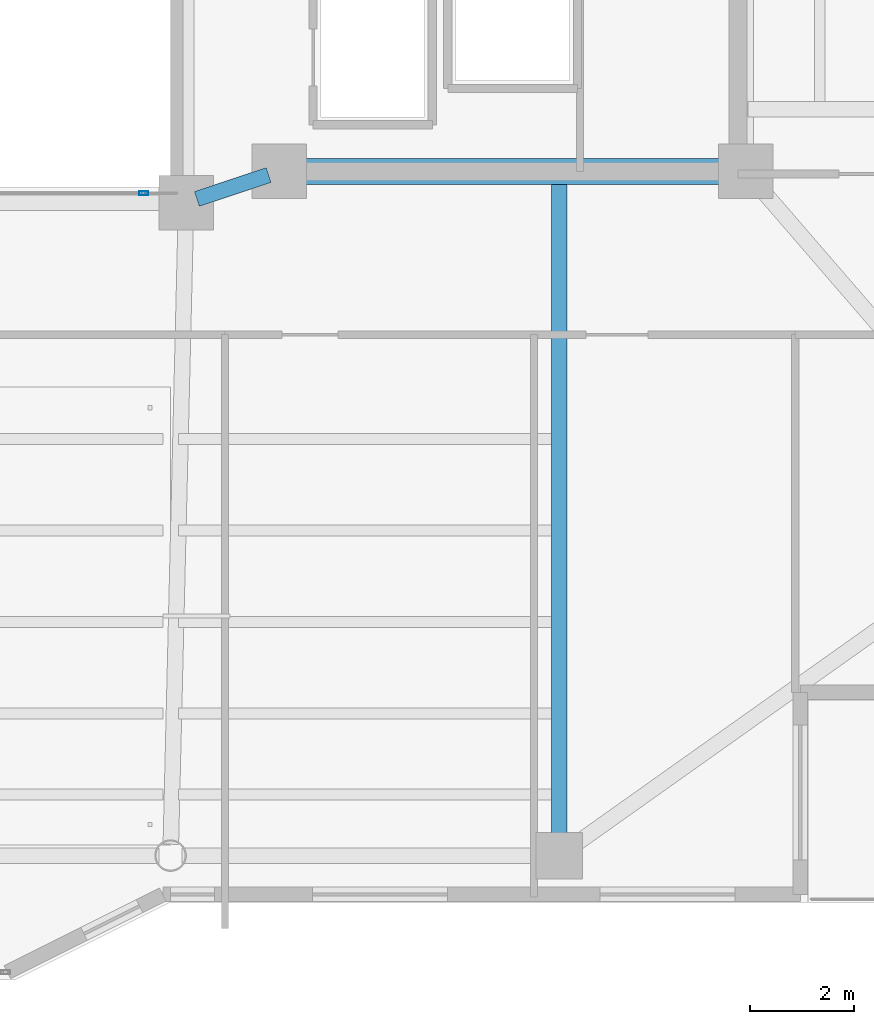
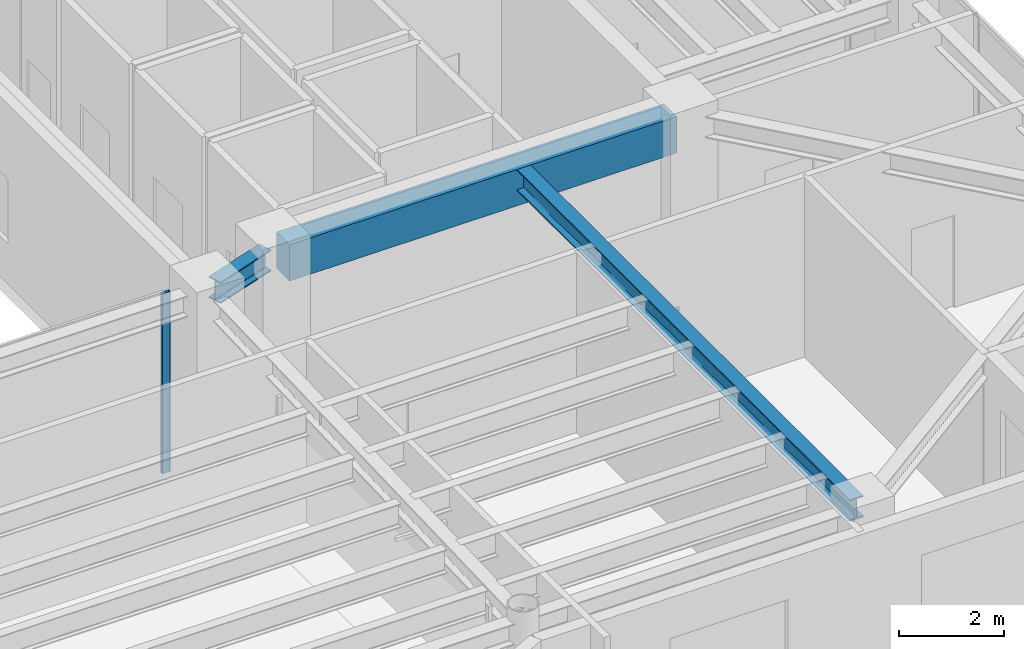
# One storey, part 12 of 33: 3 beams, 1 member, 1 element without a shape of its own.
"""IFC4 building model written with IfcOpenShell, lengths in metres."""

import ifcopenshell
import ifcopenshell.guid

model = None  # the IFC model being written
_history = None  # IfcOwnerHistory: only IFC2X3 demands one
_inside = {}  # id of a spatial element -> (the spatial element, [elements in it])
_under = {}  # id of a project, library or spatial element -> (it, [spatial elements below it])
_declared = {}  # id of a project -> (the project, [libraries it declares])
_typed = {}  # id of a type object -> (the type object, [elements of that type])
_made_of = {}  # id of a material, layer set ... -> (it, [elements and type objects made of it])


def new_model(schema):
    """Start an empty IFC model of exactly this schema.

    Asked for "IFC4X3", IfcOpenShell would pick the latest addendum, in which some entities
    have other attributes; the version numbers below select the first issue.
    IFC2X3 requires an IfcOwnerHistory on every rooted entity: one is made here for all.
    """
    global model, _history
    if schema == "IFC4X3":
        model = ifcopenshell.file(schema_version=(4, 3, 0, 0))
    else:
        model = ifcopenshell.file(schema=schema)
    _inside.clear()
    _under.clear()
    _declared.clear()
    _typed.clear()
    _made_of.clear()
    _history = None
    if model.schema == "IFC2X3":
        org = make("IfcOrganization", Name="unknown")
        user = make(
            "IfcPersonAndOrganization",
            ThePerson=make("IfcPerson", FamilyName="unknown"),
            TheOrganization=org,
        )
        app = make(
            "IfcApplication",
            ApplicationDeveloper=org,
            Version="unknown",
            ApplicationFullName="unknown",
            ApplicationIdentifier="unknown",
        )
        _history = make(
            "IfcOwnerHistory",
            OwningUser=user,
            OwningApplication=app,
            ChangeAction="ADDED",
            CreationDate=0,
        )
    return model


def make(cls, **values):
    """One entity of the class cls with the attributes given. An attribute that is None is left unset."""
    return model.create_entity(
        cls, **{name: value for name, value in values.items() if value is not None}
    )


def rooted(cls, **values):
    """An entity with a GlobalId (a new one), such as an element, a storey or a relation."""
    return make(cls, GlobalId=ifcopenshell.guid.new(), OwnerHistory=_history, **values)


def si_unit(unit_type, name, prefix=None):
    """IfcSIUnit, for example si_unit("LENGTHUNIT", "METRE", prefix="MILLI")."""
    return make("IfcSIUnit", UnitType=unit_type, Prefix=prefix, Name=name)


def assignment(units):
    """IfcUnitAssignment: the units of a project."""
    return None if units is None else make("IfcUnitAssignment", Units=units)


def point(xyz):
    """IfcCartesianPoint."""
    return None if xyz is None else make("IfcCartesianPoint", Coordinates=xyz)


def direction(xyz):
    """IfcDirection."""
    return None if xyz is None else make("IfcDirection", DirectionRatios=xyz)


def frame(location, z_axis=None, x_axis=None):
    """IfcAxis2Placement3D, a coordinate frame: its origin and axes. An axis left out is left unset."""
    return make(
        "IfcAxis2Placement3D",
        Location=point(location),
        Axis=direction(z_axis),
        RefDirection=direction(x_axis),
    )


def frame_2d(location, x_axis=None):
    """IfcAxis2Placement2D, a coordinate frame in the plane: its origin and x axis."""
    return make(
        "IfcAxis2Placement2D", Location=point(location), RefDirection=direction(x_axis)
    )


def origin():
    """The frame at (0, 0, 0) with its axes left unset."""
    return frame((0.0, 0.0, 0.0))


def origin_2d():
    """The frame at (0, 0) in the plane with its x axis left unset."""
    return frame_2d((0.0, 0.0))


def place(relative_to, where):
    """IfcLocalPlacement: puts the frame where relative to a parent placement (None: the world)."""
    return make(
        "IfcLocalPlacement", PlacementRelTo=relative_to, RelativePlacement=where
    )


def context(
    kind, dimensions, precision=None, world=None, true_north=None, identifier=None
):
    """IfcGeometricRepresentationContext, for example the 3D "Model" context."""
    return make(
        "IfcGeometricRepresentationContext",
        ContextIdentifier=identifier,
        ContextType=kind,
        CoordinateSpaceDimension=dimensions,
        Precision=precision,
        WorldCoordinateSystem=world,
        TrueNorth=true_north,
    )


def subcontext(parent, identifier, kind, view, scale=None):
    """IfcGeometricRepresentationSubContext, for example "Body" below "Model"."""
    return make(
        "IfcGeometricRepresentationSubContext",
        ContextIdentifier=identifier,
        ContextType=kind,
        ParentContext=parent,
        TargetScale=scale,
        TargetView=view,
    )


def project(units=None, contexts=None):
    """IfcProject with its units and contexts."""
    return rooted(
        "IfcProject",
        Name="project",
        RepresentationContexts=contexts,
        UnitsInContext=assignment(units),
    )


def spatial(cls, under=None, at=None, **own):
    """A site, building, storey or space (cls), placed at a placement, below another one or the project."""
    s = rooted(cls, ObjectPlacement=at, **own)
    if under is not None:
        _under.setdefault(under.id(), (under, []))[1].append(s)
    return s


def profile(cls, at=None, kind="AREA", **sizes):
    """A parametric profile (cls). Its sizes go by their IFC names, for example OverallWidth=200.0."""
    return make(cls, ProfileType=kind, Position=at, **sizes)


def rectangle(**sizes):
    """IfcRectangleProfileDef."""
    return profile("IfcRectangleProfileDef", **sizes)


def hollow_rectangle(**sizes):
    """IfcRectangleHollowProfileDef."""
    return profile("IfcRectangleHollowProfileDef", **sizes)


def i_section(**sizes):
    """IfcIShapeProfileDef."""
    return profile("IfcIShapeProfileDef", **sizes)


def extrude(swept, where, along, depth):
    """IfcExtrudedAreaSolid: the profile swept, set in the frame where, extruded along a direction by depth."""
    return make(
        "IfcExtrudedAreaSolid",
        SweptArea=swept,
        Position=where,
        ExtrudedDirection=direction(along),
        Depth=depth,
    )


def shape(context_of_items, identifier, shape_type, items):
    """IfcShapeRepresentation: the items that make up one representation, for example the "Body"."""
    return make(
        "IfcShapeRepresentation",
        ContextOfItems=context_of_items,
        RepresentationIdentifier=identifier,
        RepresentationType=shape_type,
        Items=items,
    )


def material(Name=None, Category=None):
    """IfcMaterial."""
    return make("IfcMaterial", Name=Name, Category=Category)


def layer(
    of_material, thickness, ventilated=None, Name=None, Category=None, Priority=None
):
    """IfcMaterialLayer: one layer of a wall or slab, of a material (None: an air gap)."""
    return make(
        "IfcMaterialLayer",
        Material=of_material,
        LayerThickness=thickness,
        IsVentilated=ventilated,
        Name=Name,
        Category=Category,
        Priority=Priority,
    )


def layer_set(layers, Name=None):
    """IfcMaterialLayerSet."""
    return make("IfcMaterialLayerSet", MaterialLayers=layers, LayerSetName=Name)


def material_profile(
    of_material, cross_section, Name=None, Category=None, Priority=None
):
    """IfcMaterialProfile: a cross section and its material."""
    return make(
        "IfcMaterialProfile",
        Name=Name,
        Material=of_material,
        Profile=cross_section,
        Priority=Priority,
        Category=Category,
    )


def profile_set(profiles, Name=None, composite=None):
    """IfcMaterialProfileSet."""
    return make(
        "IfcMaterialProfileSet",
        Name=Name,
        MaterialProfiles=profiles,
        CompositeProfile=composite,
    )


def made_of(thing, what):
    """Note that an element or type object is made of a material, layer set ...; save() writes the relation."""
    if what is not None:
        _made_of.setdefault(what.id(), (what, []))[1].append(thing)
    return thing


def type_object(cls, material=None, **own):
    """A type object (cls), such as IfcWallType, which elements share."""
    return made_of(rooted(cls, **own), material)


def element(
    cls,
    number,
    at=None,
    inside=None,
    cuts=None,
    type_object=None,
    material=None,
    context=None,
    identifier="Body",
    shape_type=None,
    held_by="IfcProductDefinitionShape",
    body=None,
    shapes=None,
    **own,
):
    """One element of the class cls, such as IfcWall. Its Tag is "e" and its number.

    at: its placement. inside: the storey or other place that contains it. cuts: it is an
    opening in that element (IfcRelVoidsElement). A single representation is given by context,
    identifier, shape_type and body (its items); several are given by shapes. held_by: the class
    of the entity that holds the representations. save() writes the other relations.
    """
    e = rooted(cls, Tag="e%d" % number, ObjectPlacement=at, **own)
    if body is not None:
        shapes = [shape(context, identifier, shape_type, body)]
    if shapes is not None:
        e.Representation = make(held_by, Representations=shapes)
    if inside is not None:
        _inside.setdefault(inside.id(), (inside, []))[1].append(e)
    if cuts is not None:
        rooted(
            "IfcRelVoidsElement", RelatingBuildingElement=cuts, RelatedOpeningElement=e
        )
    if type_object is not None:
        _typed.setdefault(type_object.id(), (type_object, []))[1].append(e)
    return made_of(e, material)


def aggregate(whole, parts):
    """IfcRelAggregates: a whole, such as a stair, and the parts it consists of."""
    return rooted("IfcRelAggregates", RelatingObject=whole, RelatedObjects=parts)


def save(model, path):
    """Write the relations noted so far, then the file.

    IfcRelAggregates (storeys below a building ...), IfcRelContainedInSpatialStructure (elements
    in a storey), IfcRelDefinesByType, IfcRelAssociatesMaterial and IfcRelDeclares: one each for
    every whole, place, type object, material and project.
    """
    for whole, parts in _under.values():
        aggregate(whole, parts)
    for where, things in _inside.values():
        rooted(
            "IfcRelContainedInSpatialStructure",
            RelatedElements=things,
            RelatingStructure=where,
        )
    for kind, things in _typed.values():
        rooted("IfcRelDefinesByType", RelatedObjects=things, RelatingType=kind)
    for what, things in _made_of.values():
        rooted("IfcRelAssociatesMaterial", RelatedObjects=things, RelatingMaterial=what)
    for by, libraries in _declared.values():
        rooted("IfcRelDeclares", RelatingContext=by, RelatedDefinitions=libraries)
    model.write(path)


model = new_model("IFC4")

# Units and contexts
model_context = context("Model", 3, precision=1e-05, world=origin(), true_north=direction((0.0, 1.0)))
body_context = subcontext(model_context, "Body", "Model", "MODEL_VIEW")
ifc_project = project(units=[si_unit("LENGTHUNIT", "METRE"), si_unit("AREAUNIT", "SQUARE_METRE"), si_unit("VOLUMEUNIT", "CUBIC_METRE"), si_unit("PLANEANGLEUNIT", "RADIAN"), si_unit("MASSUNIT", "GRAM", prefix="KILO")], contexts=[model_context])

# Site, building, storey
site_placement = place(None, origin())
site = spatial("IfcSite", under=ifc_project, at=site_placement, CompositionType="ELEMENT")
building_placement = place(site_placement, origin())
building = spatial("IfcBuilding", under=site, at=building_placement, Name="Tarnavaz Court Tower", CompositionType="ELEMENT")
storey_placement = place(building_placement, frame((0.0, 0.0, 172.800048828125)))
storey = spatial("IfcBuildingStorey", under=building, at=storey_placement, Name="L47", CompositionType="ELEMENT", Elevation=172.800048828125)

# Beams
ifc_material_1 = material(Name="Concrete C50/60", Category="concrete")
ifc_material_profile_1 = material_profile(ifc_material_1, rectangle(XDim=0.5, YDim=0.85009765625, at=origin_2d()), Name="RC 500X850")
ifc_profile_set_1 = profile_set([ifc_material_profile_1], Name="Concrete C50/60")
beam_type_1 = type_object("IfcBeamType", Name="BM-CB850", PredefinedType="LINTEL", material=ifc_profile_set_1)
beam_1_placement = place(storey_placement, frame((18.3798828125, -7.199951171875, 3.77490234375), z_axis=(-1.0, 0.0, 0.0), x_axis=(0.0, -1.0, 0.0)))
element("IfcBeam", 1, at=beam_1_placement, inside=storey, type_object=beam_type_1, Name="L47 Beam IN-CE-SO-CE-SI", PredefinedType="LINTEL", context=body_context, shape_type="SweptSolid", body=[
    extrude(rectangle(XDim=0.5, YDim=0.85009765625, at=origin_2d()), origin(), (0.0, 0.0, 1.0), 8.559814453125),
])
ifc_material_2 = material(Name="Steel S355", Category="steel")
ifc_material_profile_2 = material_profile(ifc_material_2, i_section(OverallWidth=0.300048828125, OverallDepth=0.5, WebThickness=0.014404296875, FlangeThickness=0.028076171875, FilletRadius=0.027099609375, at=origin_2d()), Name="HEB 500")
ifc_profile_set_2 = profile_set([ifc_material_profile_2], Name="Steel S355")
beam_type_2 = type_object("IfcBeamType", Name="BM-G-HEB500", PredefinedType="USERDEFINED", material=ifc_profile_set_2)
beam_2_placement = place(storey_placement, frame((9.391357421875, -7.26953125, 3.949951171875), z_axis=(-0.948666544706, -0.316278021615, 0.0), x_axis=(0.316278021615, -0.948666544706, 0.0)))
element("IfcBeam", 2, at=beam_2_placement, inside=storey, type_object=beam_type_2, Name="L47 Beam IN-CE-SI-IW-SE", ObjectType="GIRDER", PredefinedType="USERDEFINED", context=body_context, shape_type="SweptSolid", body=[
    extrude(i_section(OverallWidth=0.300048828125, OverallDepth=0.5, WebThickness=0.014404296875, FlangeThickness=0.028076171875, FilletRadius=0.027099609375, at=origin_2d()), origin(), (0.0, 0.0, 1.0), 1.457275390625),
])
beam_3_placement = place(storey_placement, frame((15.0, -7.239990234375, 3.949951171875), z_axis=(0.0, -1.0, 0.0), x_axis=(1.0, 0.0, 0.0)))
element("IfcBeam", 3, at=beam_3_placement, inside=storey, type_object=beam_type_2, Name="L47 Beam RG-08", ObjectType="GIRDER", PredefinedType="USERDEFINED", context=body_context, shape_type="SweptSolid", body=[
    extrude(i_section(OverallWidth=0.300048828125, OverallDepth=0.5, WebThickness=0.014404296875, FlangeThickness=0.028076171875, FilletRadius=0.027099609375, at=origin_2d()), origin(), (0.0, 0.0, 1.0), 12.93994140625),
])

# Curtain wall, member
ifc_material_3 = material(Name="Anodised Aluminium 6063-T6 and Solar Low-E Glazing", Category="aluminium")
ifc_layer = layer(ifc_material_3, 0.139892578125)
ifc_layer_set = layer_set([ifc_layer], Name="Anodised Aluminium 6063-T6 and Solar Low-E Glazing")
curtain_wall_type = type_object("IfcCurtainWallType", Name="CW-SYS-04", PredefinedType="NOTDEFINED", material=ifc_layer_set)
curtain_wall_placement = place(storey_placement, origin())
curtain_wall = element("IfcCurtainWall", 4, at=curtain_wall_placement, inside=storey, type_object=curtain_wall_type, Name="L47 Badgir Courtyard Curtain Wall S", PredefinedType="NOTDEFINED")
ifc_material_4 = material(Name="Anodised Aluminium 6063-T6", Category="aluminium")
ifc_material_profile_3 = material_profile(ifc_material_4, hollow_rectangle(XDim=0.074951171875, YDim=0.179931640625, WallThickness=0.0048828125, InnerFilletRadius=0.0048828125, OuterFilletRadius=0.010009765625, at=origin_2d()), Name="ALU RHS 180X75X5")
ifc_profile_set_3 = profile_set([ifc_material_profile_3], Name="Anodised Aluminium 6063-T6")
member_type = type_object("IfcMemberType", Name="CW-MUL-180", PredefinedType="MULLION", material=ifc_profile_set_3)
member_placement = place(storey_placement, frame((6.982421875, -7.6201171875, 0.0), z_axis=(0.0, 0.0, 1.0), x_axis=(0.0, 1.0, 0.0)))
member = element("IfcMember", 5, at=member_placement, type_object=member_type, Name="CW mullion 4", PredefinedType="MULLION", context=body_context, shape_type="SweptSolid", body=[
    extrude(hollow_rectangle(XDim=0.074951171875, YDim=0.179931640625, WallThickness=0.0048828125, InnerFilletRadius=0.0048828125, OuterFilletRadius=0.010009765625, at=origin_2d()), origin(), (0.0, 0.0, 1.0), 4.199951171875),
])
aggregate(curtain_wall, [member])

save(model, "model.ifc")
